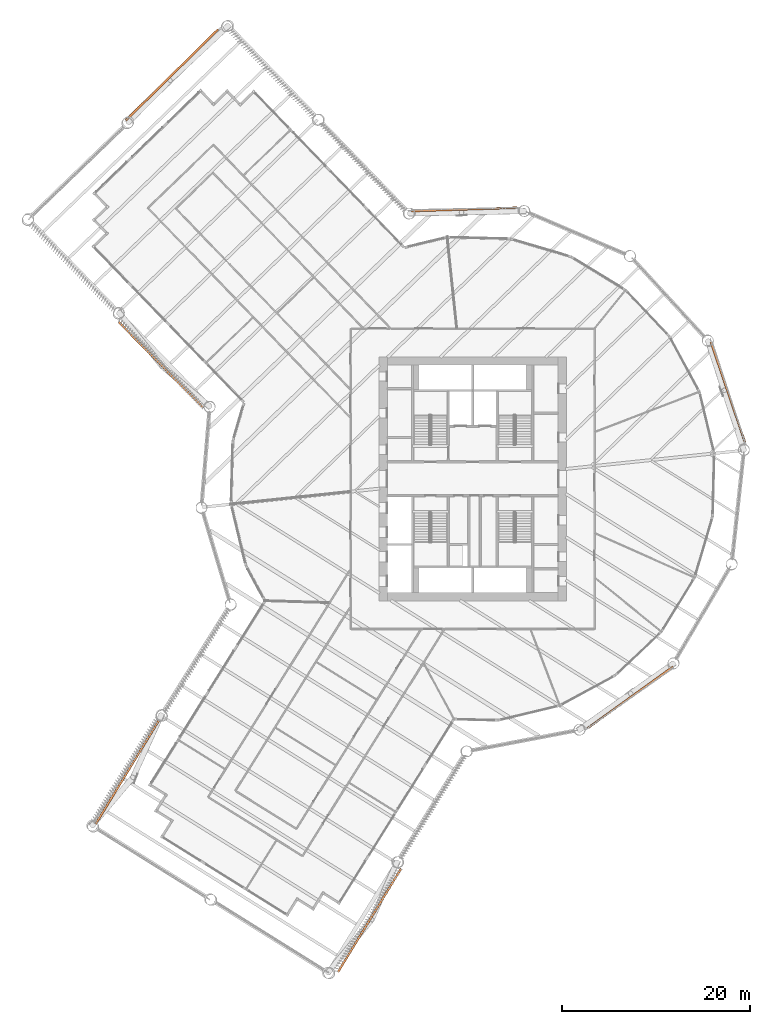
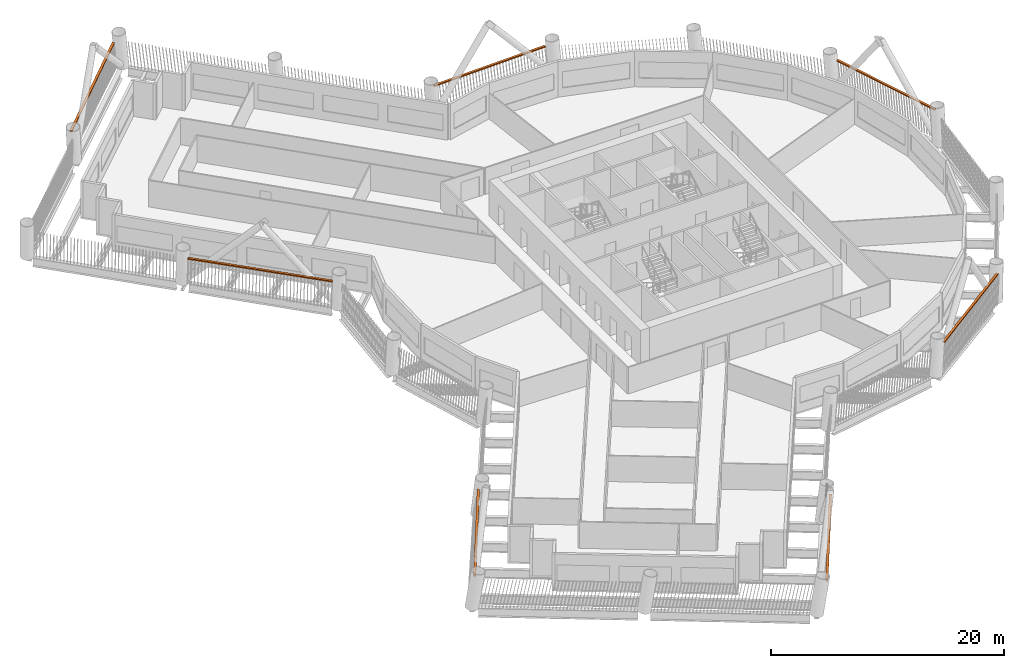
# One storey, part 22 of 22: 7 proxies.
"""IFC4 building model written with IfcOpenShell, lengths in metres."""

import ifcopenshell
import ifcopenshell.guid

model = None  # the IFC model being written
_history = None  # IfcOwnerHistory: only IFC2X3 demands one
_inside = {}  # id of a spatial element -> (the spatial element, [elements in it])
_under = {}  # id of a project, library or spatial element -> (it, [spatial elements below it])
_declared = {}  # id of a project -> (the project, [libraries it declares])
_typed = {}  # id of a type object -> (the type object, [elements of that type])
_made_of = {}  # id of a material, layer set ... -> (it, [elements and type objects made of it])


def new_model(schema):
    """Start an empty IFC model of exactly this schema.

    Asked for "IFC4X3", IfcOpenShell would pick the latest addendum, in which some entities
    have other attributes; the version numbers below select the first issue.
    IFC2X3 requires an IfcOwnerHistory on every rooted entity: one is made here for all.
    """
    global model, _history
    if schema == "IFC4X3":
        model = ifcopenshell.file(schema_version=(4, 3, 0, 0))
    else:
        model = ifcopenshell.file(schema=schema)
    _inside.clear()
    _under.clear()
    _declared.clear()
    _typed.clear()
    _made_of.clear()
    _history = None
    if model.schema == "IFC2X3":
        org = make("IfcOrganization", Name="unknown")
        user = make(
            "IfcPersonAndOrganization",
            ThePerson=make("IfcPerson", FamilyName="unknown"),
            TheOrganization=org,
        )
        app = make(
            "IfcApplication",
            ApplicationDeveloper=org,
            Version="unknown",
            ApplicationFullName="unknown",
            ApplicationIdentifier="unknown",
        )
        _history = make(
            "IfcOwnerHistory",
            OwningUser=user,
            OwningApplication=app,
            ChangeAction="ADDED",
            CreationDate=0,
        )
    return model


def make(cls, **values):
    """One entity of the class cls with the attributes given. An attribute that is None is left unset."""
    return model.create_entity(
        cls, **{name: value for name, value in values.items() if value is not None}
    )


def rooted(cls, **values):
    """An entity with a GlobalId (a new one), such as an element, a storey or a relation."""
    return make(cls, GlobalId=ifcopenshell.guid.new(), OwnerHistory=_history, **values)


def si_unit(unit_type, name, prefix=None):
    """IfcSIUnit, for example si_unit("LENGTHUNIT", "METRE", prefix="MILLI")."""
    return make("IfcSIUnit", UnitType=unit_type, Prefix=prefix, Name=name)


def assignment(units):
    """IfcUnitAssignment: the units of a project."""
    return None if units is None else make("IfcUnitAssignment", Units=units)


def point(xyz):
    """IfcCartesianPoint."""
    return None if xyz is None else make("IfcCartesianPoint", Coordinates=xyz)


def direction(xyz):
    """IfcDirection."""
    return None if xyz is None else make("IfcDirection", DirectionRatios=xyz)


def frame(location, z_axis=None, x_axis=None):
    """IfcAxis2Placement3D, a coordinate frame: its origin and axes. An axis left out is left unset."""
    return make(
        "IfcAxis2Placement3D",
        Location=point(location),
        Axis=direction(z_axis),
        RefDirection=direction(x_axis),
    )


def frame_2d(location, x_axis=None):
    """IfcAxis2Placement2D, a coordinate frame in the plane: its origin and x axis."""
    return make(
        "IfcAxis2Placement2D", Location=point(location), RefDirection=direction(x_axis)
    )


def origin():
    """The frame at (0, 0, 0) with its axes left unset."""
    return frame((0.0, 0.0, 0.0))


def origin_2d():
    """The frame at (0, 0) in the plane with its x axis left unset."""
    return frame_2d((0.0, 0.0))


def place(relative_to, where):
    """IfcLocalPlacement: puts the frame where relative to a parent placement (None: the world)."""
    return make(
        "IfcLocalPlacement", PlacementRelTo=relative_to, RelativePlacement=where
    )


def context(
    kind, dimensions, precision=None, world=None, true_north=None, identifier=None
):
    """IfcGeometricRepresentationContext, for example the 3D "Model" context."""
    return make(
        "IfcGeometricRepresentationContext",
        ContextIdentifier=identifier,
        ContextType=kind,
        CoordinateSpaceDimension=dimensions,
        Precision=precision,
        WorldCoordinateSystem=world,
        TrueNorth=true_north,
    )


def subcontext(parent, identifier, kind, view, scale=None):
    """IfcGeometricRepresentationSubContext, for example "Body" below "Model"."""
    return make(
        "IfcGeometricRepresentationSubContext",
        ContextIdentifier=identifier,
        ContextType=kind,
        ParentContext=parent,
        TargetScale=scale,
        TargetView=view,
    )


def project(units=None, contexts=None):
    """IfcProject with its units and contexts."""
    return rooted(
        "IfcProject",
        Name="project",
        RepresentationContexts=contexts,
        UnitsInContext=assignment(units),
    )


def spatial(cls, under=None, at=None, **own):
    """A site, building, storey or space (cls), placed at a placement, below another one or the project."""
    s = rooted(cls, ObjectPlacement=at, **own)
    if under is not None:
        _under.setdefault(under.id(), (under, []))[1].append(s)
    return s


def profile(cls, at=None, kind="AREA", **sizes):
    """A parametric profile (cls). Its sizes go by their IFC names, for example OverallWidth=200.0."""
    return make(cls, ProfileType=kind, Position=at, **sizes)


def rectangle(**sizes):
    """IfcRectangleProfileDef."""
    return profile("IfcRectangleProfileDef", **sizes)


def extrude(swept, where, along, depth):
    """IfcExtrudedAreaSolid: the profile swept, set in the frame where, extruded along a direction by depth."""
    return make(
        "IfcExtrudedAreaSolid",
        SweptArea=swept,
        Position=where,
        ExtrudedDirection=direction(along),
        Depth=depth,
    )


def shape(context_of_items, identifier, shape_type, items):
    """IfcShapeRepresentation: the items that make up one representation, for example the "Body"."""
    return make(
        "IfcShapeRepresentation",
        ContextOfItems=context_of_items,
        RepresentationIdentifier=identifier,
        RepresentationType=shape_type,
        Items=items,
    )


def material(Name=None, Category=None):
    """IfcMaterial."""
    return make("IfcMaterial", Name=Name, Category=Category)


def made_of(thing, what):
    """Note that an element or type object is made of a material, layer set ...; save() writes the relation."""
    if what is not None:
        _made_of.setdefault(what.id(), (what, []))[1].append(thing)
    return thing


def type_object(cls, material=None, **own):
    """A type object (cls), such as IfcWallType, which elements share."""
    return made_of(rooted(cls, **own), material)


def element(
    cls,
    number,
    at=None,
    inside=None,
    cuts=None,
    type_object=None,
    material=None,
    context=None,
    identifier="Body",
    shape_type=None,
    held_by="IfcProductDefinitionShape",
    body=None,
    shapes=None,
    **own,
):
    """One element of the class cls, such as IfcWall. Its Tag is "e" and its number.

    at: its placement. inside: the storey or other place that contains it. cuts: it is an
    opening in that element (IfcRelVoidsElement). A single representation is given by context,
    identifier, shape_type and body (its items); several are given by shapes. held_by: the class
    of the entity that holds the representations. save() writes the other relations.
    """
    e = rooted(cls, Tag="e%d" % number, ObjectPlacement=at, **own)
    if body is not None:
        shapes = [shape(context, identifier, shape_type, body)]
    if shapes is not None:
        e.Representation = make(held_by, Representations=shapes)
    if inside is not None:
        _inside.setdefault(inside.id(), (inside, []))[1].append(e)
    if cuts is not None:
        rooted(
            "IfcRelVoidsElement", RelatingBuildingElement=cuts, RelatedOpeningElement=e
        )
    if type_object is not None:
        _typed.setdefault(type_object.id(), (type_object, []))[1].append(e)
    return made_of(e, material)


def aggregate(whole, parts):
    """IfcRelAggregates: a whole, such as a stair, and the parts it consists of."""
    return rooted("IfcRelAggregates", RelatingObject=whole, RelatedObjects=parts)


def save(model, path):
    """Write the relations noted so far, then the file.

    IfcRelAggregates (storeys below a building ...), IfcRelContainedInSpatialStructure (elements
    in a storey), IfcRelDefinesByType, IfcRelAssociatesMaterial and IfcRelDeclares: one each for
    every whole, place, type object, material and project.
    """
    for whole, parts in _under.values():
        aggregate(whole, parts)
    for where, things in _inside.values():
        rooted(
            "IfcRelContainedInSpatialStructure",
            RelatedElements=things,
            RelatingStructure=where,
        )
    for kind, things in _typed.values():
        rooted("IfcRelDefinesByType", RelatedObjects=things, RelatingType=kind)
    for what, things in _made_of.values():
        rooted("IfcRelAssociatesMaterial", RelatedObjects=things, RelatingMaterial=what)
    for by, libraries in _declared.values():
        rooted("IfcRelDeclares", RelatingContext=by, RelatedDefinitions=libraries)
    model.write(path)


model = new_model("IFC4")

# Units and contexts
model_context = context("Model", 3, precision=1e-05, world=origin(), true_north=direction((0.0, 1.0)))
body_context = subcontext(model_context, "Body", "Model", "MODEL_VIEW")
ifc_project = project(units=[si_unit("LENGTHUNIT", "METRE"), si_unit("AREAUNIT", "SQUARE_METRE"), si_unit("VOLUMEUNIT", "CUBIC_METRE"), si_unit("PLANEANGLEUNIT", "RADIAN"), si_unit("MASSUNIT", "GRAM", prefix="KILO")], contexts=[model_context])

# Site, building, storey
site_placement = place(None, origin())
site = spatial("IfcSite", under=ifc_project, at=site_placement, CompositionType="ELEMENT")
building_placement = place(site_placement, origin())
building = spatial("IfcBuilding", under=site, at=building_placement, Name="Tarsis Ring Headquarters", CompositionType="ELEMENT")
storey_placement = place(building_placement, frame((0.0, 0.0, 71.199951171875)))
storey = spatial("IfcBuildingStorey", under=building, at=storey_placement, Name="L15", CompositionType="ELEMENT", Elevation=71.199951171875)

# Proxies
ifc_material = material(Name="Structural steel S355", Category="steel")
building_element_proxy_type = type_object("IfcBuildingElementProxyType", Name="Screen bracket plate", PredefinedType="USERDEFINED", material=ifc_material)
for number, where, z_axis, x_axis, name in (
    (1, (-36.79638671875, -31.2548828125, 2.95263671875), (0.0, 0.0, 1.0), (-0.521009587149, -0.853550824555, 0.0), "Screen bracket L15-02"),
    (2, (-10.97900390625, -47.013916015625, 2.95263671875), (0.0, 0.0, 1.0), (0.521009616943, 0.853550806369, 0.0), "Screen bracket L15-05"),
):
    element("IfcBuildingElementProxy", number, at=place(storey_placement, frame(where, z_axis=z_axis, x_axis=x_axis)), inside=storey, type_object=building_element_proxy_type, Name=name, ObjectType="Bracket", PredefinedType="USERDEFINED", context=body_context, shape_type="SweptSolid", body=[
        extrude(rectangle(XDim=12.90234375, YDim=0.222900390625, at=origin_2d()), origin(), (0.0, 0.0, 1.0), 0.1201171875),
    ])
for number, where, z_axis, x_axis, name in (
    (3, (16.776611328125, -23.3095703125, 2.95263671875), (0.0, 0.0, 1.0), (0.811637433609, 0.584161515649, 0.0), "Screen bracket L15-08"),
    (4, (27.191650390625, 9.241455078125, 2.95263671875), (0.0, 0.0, 1.0), (-0.321790593394, 0.946810864958, 0.0), "Screen bracket L15-11"),
    (5, (-0.9013671875, 28.704833984375, 2.95263671875), (0.0, 0.0, 1.0), (-0.999507261839, -0.031388429879, 0.0), "Screen bracket L15-14"),
):
    element("IfcBuildingElementProxy", number, at=place(storey_placement, frame(where, z_axis=z_axis, x_axis=x_axis)), inside=storey, type_object=building_element_proxy_type, Name=name, ObjectType="Bracket", PredefinedType="USERDEFINED", context=body_context, shape_type="SweptSolid", body=[
        extrude(rectangle(XDim=11.248779296875, YDim=0.222900390625, at=origin_2d()), origin(), (0.0, 0.0, 1.0), 0.1201171875),
    ])
proxy_1_placement = place(storey_placement, frame((-32.031982421875, 43.021240234375, 2.95263671875), z_axis=(0.0, 0.0, 1.0), x_axis=(-0.712025996971, -0.702153102704, 0.0)))
element("IfcBuildingElementProxy", 6, at=proxy_1_placement, inside=storey, type_object=building_element_proxy_type, Name="Screen bracket L15-17", ObjectType="Bracket", PredefinedType="USERDEFINED", context=body_context, shape_type="SweptSolid", body=[
    extrude(rectangle(XDim=13.800048828125, YDim=0.222900390625, at=origin_2d()), origin(), (0.0, 0.0, 1.0), 0.1201171875),
])
proxy_2_placement = place(storey_placement, frame((-33.19970703125, 12.127685546875, 2.95263671875), z_axis=(0.0, 0.0, 1.0), x_axis=(0.702153003286, -0.712026095011, 0.0)))
element("IfcBuildingElementProxy", 7, at=proxy_2_placement, inside=storey, type_object=building_element_proxy_type, Name="Screen bracket L15-20", ObjectType="Bracket", PredefinedType="USERDEFINED", context=body_context, shape_type="SweptSolid", body=[
    extrude(rectangle(XDim=12.90234375, YDim=0.222900390625, at=origin_2d()), origin(), (0.0, 0.0, 1.0), 0.1201171875),
])

save(model, "model.ifc")
